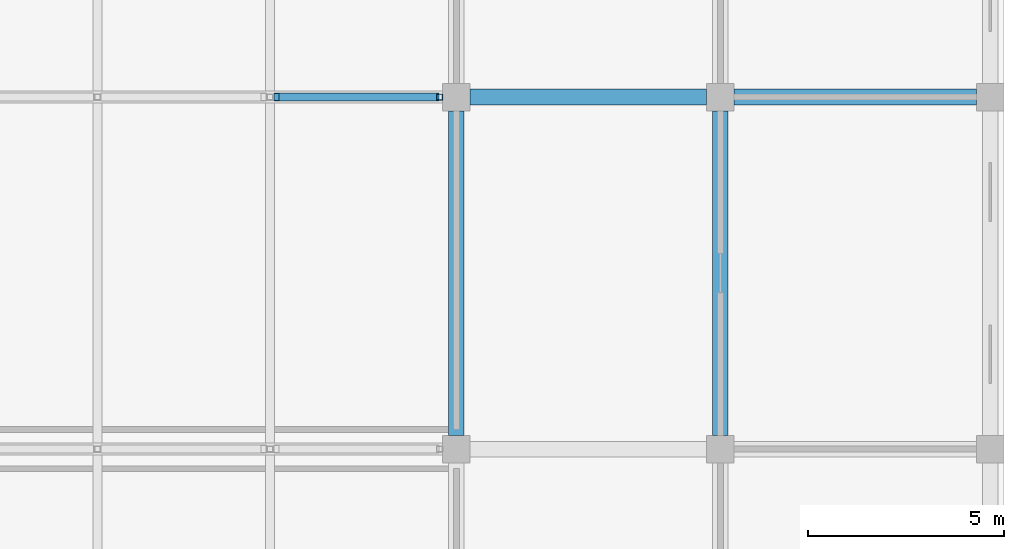
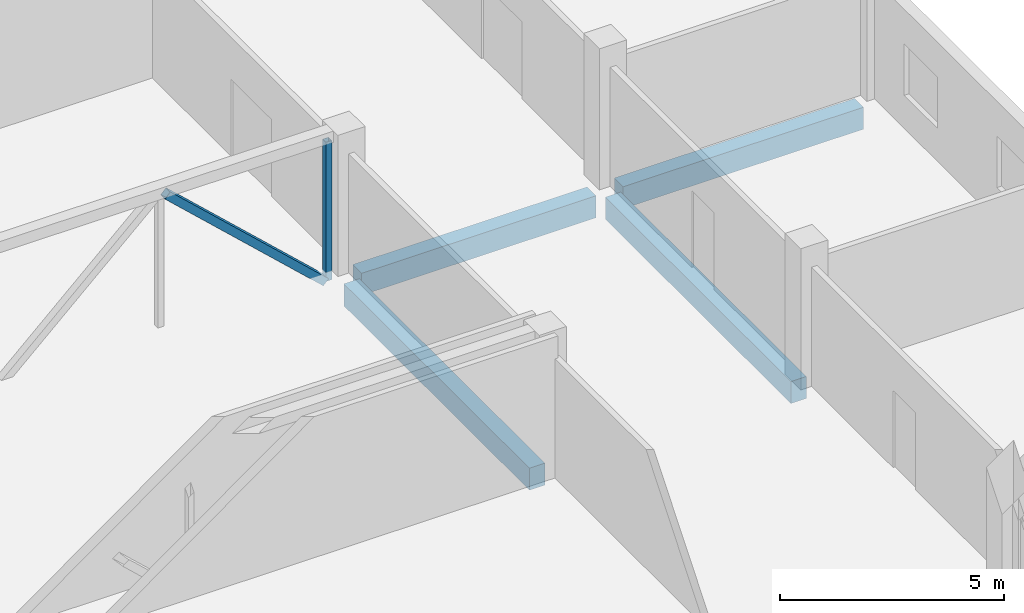
# One storey, part 12 of 42: 4 beams, 2 members.
"""IFC4 building model written with IfcOpenShell, lengths in metres."""

from ifc_helpers import new_model, si_unit, direction, frame, origin, origin_2d, place, context, subcontext, project, spatial, rectangle, hollow_rectangle, extrude, material, material_profile, profile_set, type_object, element, save


model = new_model("IFC4")

# Units and contexts
model_context = context("Model", 3, precision=1e-05, world=origin(), true_north=direction((0.0, 1.0)))
body_context = subcontext(model_context, "Body", "Model", "MODEL_VIEW")
ifc_project = project(units=[si_unit("LENGTHUNIT", "METRE"), si_unit("AREAUNIT", "SQUARE_METRE"), si_unit("VOLUMEUNIT", "CUBIC_METRE"), si_unit("PLANEANGLEUNIT", "RADIAN"), si_unit("MASSUNIT", "GRAM", prefix="KILO")], contexts=[model_context])

# Site, building, storey
site_placement = place(None, origin())
site = spatial("IfcSite", under=ifc_project, at=site_placement, CompositionType="ELEMENT")
building_placement = place(site_placement, origin())
building = spatial("IfcBuilding", under=site, at=building_placement, Name="Corbel Stack Research Tower", CompositionType="ELEMENT")
storey_placement = place(building_placement, frame((0.0, 0.0, 11.300048828125)))
storey = spatial("IfcBuildingStorey", under=building, at=storey_placement, Name="L02", CompositionType="ELEMENT", Elevation=11.300048828125)

# Beams
ifc_material_1 = material(Name="Concrete C40/50", Category="concrete")
ifc_material_profile_1 = material_profile(ifc_material_1, rectangle(XDim=0.39990234375, YDim=0.60009765625, at=origin_2d()), Name="RC 400 x 600")
ifc_profile_set_1 = profile_set([ifc_material_profile_1], Name="Concrete C40/50")
beam_type = type_object("IfcBeamType", Name="HB1 RC beam 400 x 600", PredefinedType="BEAM", material=ifc_profile_set_1)
beam_1_placement = place(storey_placement, frame((86.949951171875, -8.64990234375, -0.550048828125), z_axis=(0.0, 1.0, 0.0), x_axis=(-1.0, 0.0, 0.0)))
element("IfcBeam", 1, at=beam_1_placement, inside=storey, type_object=beam_type, Name="Floor beam L02 H7HC-H7HD", PredefinedType="BEAM", context=body_context, shape_type="SweptSolid", body=[
    extrude(rectangle(XDim=0.39990234375, YDim=0.60009765625, at=origin_2d()), origin(), (0.0, 0.0, 1.0), 8.2998046875),
])
beam_2_placement = place(storey_placement, frame((87.300048828125, 0.0, -0.550048828125), z_axis=(1.0, 0.0, 0.0), x_axis=(0.0, 1.0, 0.0)))
element("IfcBeam", 2, at=beam_2_placement, inside=storey, type_object=beam_type, Name="Floor beam L02 H7HD-H8HD", PredefinedType="BEAM", context=body_context, shape_type="SweptSolid", body=[
    extrude(rectangle(XDim=0.39990234375, YDim=0.60009765625, at=origin_2d()), origin(), (0.0, 0.0, 1.0), 6.050048828125),
])
beam_3_placement = place(storey_placement, frame((93.699951171875, -8.64990234375, -0.550048828125), z_axis=(0.0, 1.0, 0.0), x_axis=(-1.0, 0.0, 0.0)))
element("IfcBeam", 3, at=beam_3_placement, inside=storey, type_object=beam_type, Name="Floor beam L02 H8HC-H8HD", PredefinedType="BEAM", context=body_context, shape_type="SweptSolid", body=[
    extrude(rectangle(XDim=0.39990234375, YDim=0.60009765625, at=origin_2d()), origin(), (0.0, 0.0, 1.0), 8.2998046875),
])
beam_4_placement = place(storey_placement, frame((94.050048828125, 0.0, -0.550048828125), z_axis=(1.0, 0.0, 0.0), x_axis=(0.0, 1.0, 0.0)))
element("IfcBeam", 4, at=beam_4_placement, inside=storey, type_object=beam_type, Name="Floor beam L02 H8HD-H9HD", PredefinedType="BEAM", context=body_context, shape_type="SweptSolid", body=[
    extrude(rectangle(XDim=0.39990234375, YDim=0.60009765625, at=origin_2d()), origin(), (0.0, 0.0, 1.0), 6.199951171875),
])

# Members
ifc_material_2 = material(Name="Steel S355", Category="steel")
ifc_material_profile_2 = material_profile(ifc_material_2, hollow_rectangle(XDim=0.202880859375, YDim=0.202880859375, WallThickness=0.0087890625, at=origin_2d()), Name="HSS8x8x3/8")
ifc_profile_set_2 = profile_set([ifc_material_profile_2], Name="Steel S355")
member_type_1 = type_object("IfcMemberType", Name="HT2 truss diagonal HSS8x8x3/8", PredefinedType="BRACE", material=ifc_profile_set_2)
member_1_placement = place(storey_placement, frame((82.3515625, 0.0, 3.544921875), z_axis=(0.732576659872, 0.0, -0.680684535898), x_axis=(0.0, 1.0, 0.0)))
element("IfcMember", 5, at=member_1_placement, inside=storey, type_object=member_type_1, Name="Truss TA2 diagonal 8", PredefinedType="BRACE", context=body_context, shape_type="SweptSolid", body=[
    extrude(hollow_rectangle(XDim=0.202880859375, YDim=0.202880859375, WallThickness=0.0087890625, at=origin_2d()), origin(), (0.0, 0.0, 1.0), 5.5751953125),
])
ifc_material_3 = material(Name="Steel S355", Category="steel")
ifc_material_profile_3 = material_profile(ifc_material_3, hollow_rectangle(XDim=0.152099609375, YDim=0.152099609375, WallThickness=0.005859375, at=origin_2d()), Name="HSS6x6x1/4")
ifc_profile_set_3 = profile_set([ifc_material_profile_3], Name="Steel S355")
member_type_2 = type_object("IfcMemberType", Name="HT3 truss post HSS6x6x1/4", PredefinedType="POST", material=ifc_profile_set_3)
member_2_placement = place(storey_placement, frame((86.52392578125, 0.0, -0.25), z_axis=(0.0, 0.0, 1.0), x_axis=(1.0, 0.0, 0.0)))
element("IfcMember", 6, at=member_2_placement, inside=storey, type_object=member_type_2, Name="Truss TA2 post 9", PredefinedType="POST", context=body_context, shape_type="SweptSolid", body=[
    extrude(hollow_rectangle(XDim=0.152099609375, YDim=0.152099609375, WallThickness=0.005859375, at=origin_2d()), origin(), (0.0, 0.0, 1.0), 3.794921875),
])

save(model, "model.ifc")
